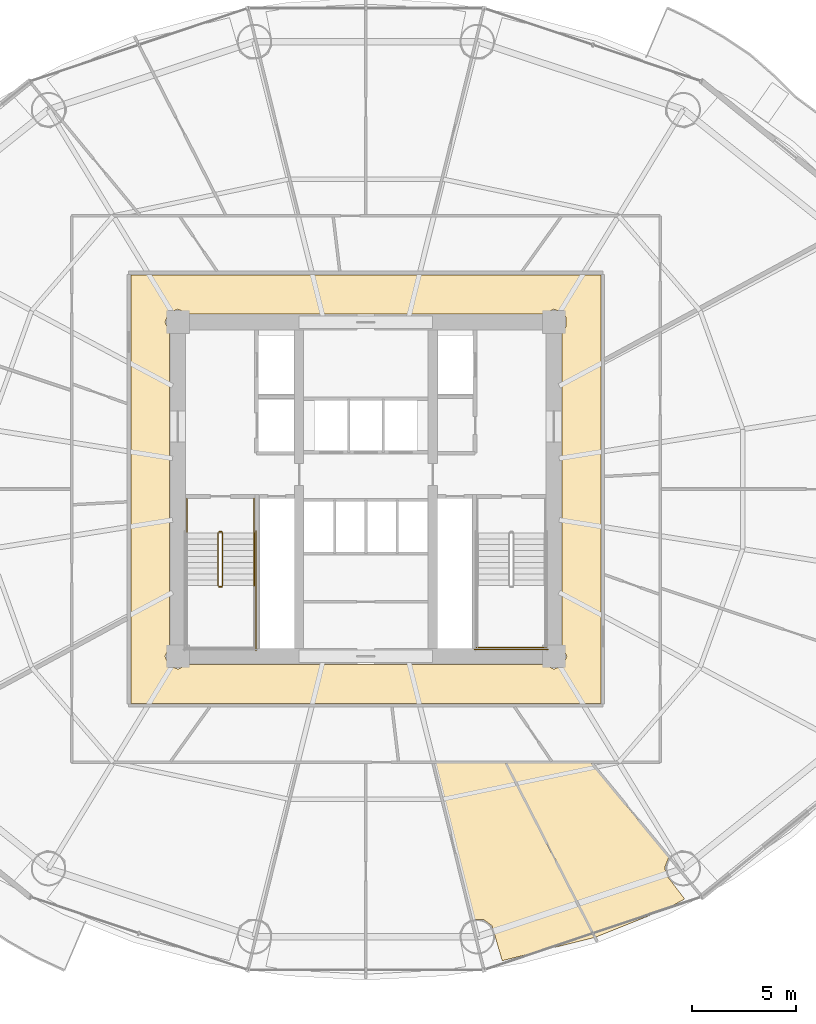
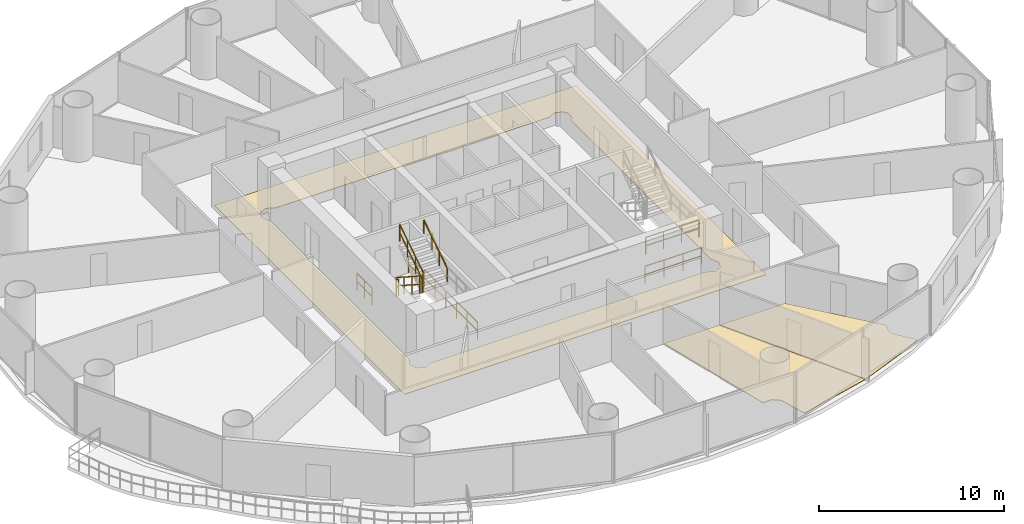
# One storey, part 28 of 30: 10 railings, 3 coverings.
"""IFC4 building model written with IfcOpenShell, lengths in metres."""

from ifc_helpers import new_model, si_unit, direction, frame, origin, origin_2d, place, context, subcontext, project, spatial, polyline, rectangle, outline, extrude, material, layer, layer_set, type_object, element, save


model = new_model("IFC4")

# Units and contexts
model_context = context("Model", 3, precision=1e-05, world=origin(), true_north=direction((-0.2419218956, 0.970295726276)))
body_context = subcontext(model_context, "Body", "Model", "MODEL_VIEW")
ifc_project = project(units=[si_unit("LENGTHUNIT", "METRE"), si_unit("AREAUNIT", "SQUARE_METRE"), si_unit("VOLUMEUNIT", "CUBIC_METRE"), si_unit("PLANEANGLEUNIT", "RADIAN"), si_unit("MASSUNIT", "GRAM", prefix="KILO")], contexts=[model_context])

# Site, building, storey
site_placement = place(None, origin())
site = spatial("IfcSite", under=ifc_project, at=site_placement, CompositionType="ELEMENT")
building_placement = place(site_placement, origin())
building = spatial("IfcBuilding", under=site, at=building_placement, Name="Cobrevalo Terracotta Tower", CompositionType="ELEMENT")
storey_placement = place(building_placement, frame((0.0, 0.0, 63.60009765625)))
storey = spatial("IfcBuildingStorey", under=building, at=storey_placement, Name="L16", CompositionType="ELEMENT", Elevation=63.60009765625)

# Coverings
ifc_material_1 = material(Name="Engineered Brazilian hardwood flooring", Category="wood")
ifc_layer_1 = layer(ifc_material_1, 0.028076171875)
ifc_layer_set_1 = layer_set([ifc_layer_1], Name="Engineered Brazilian hardwood flooring")
covering_type_1 = type_object("IfcCoveringType", Name="Engineered Hardwood Suite Flooring 28", PredefinedType="FLOORING", material=ifc_layer_set_1)
covering_1_placement = place(storey_placement, origin())
element("IfcCovering", 1, at=covering_1_placement, inside=storey, type_object=covering_type_1, Name="Flat L16B Principal Guest Bedroom floor finish", PredefinedType="FLOORING", context=body_context, shape_type="SweptSolid", body=[
    extrude(outline(polyline([(44.527587890625, 4.2255859375), (44.04345703125, 5.89306640625), (43.63330078125, 6.197998046875), (43.075439453125, 6.20703125), (41.237548828125, 13.695068359375), (44.67626953125, 13.695068359375), (48.948974609375, 5.336181640625), (44.527587890625, 4.2255859375)])), origin(), (0.0, 0.0, 1.0), 0.02978515625),
])
covering_2_placement = place(storey_placement, origin())
element("IfcCovering", 2, at=covering_2_placement, inside=storey, type_object=covering_type_1, Name="Flat L16B Principal Guest Bedroom floor finish", PredefinedType="FLOORING", context=body_context, shape_type="SweptSolid", body=[
    extrude(outline(polyline([(48.9873046875, 5.3486328125), (44.72119140625, 13.695068359375), (48.780029296875, 13.695068359375), (52.5048828125, 9.177490234375), (52.318115234375, 8.71044921875), (52.35498046875, 8.369140625), (53.26318359375, 7.178955078125), (52.361572265625, 6.691650390625), (48.9873046875, 5.3486328125)])), origin(), (0.0, 0.0, 1.0), 0.02978515625),
])
ifc_material_2 = material(Name="Honed terracotta and granite tile", Category="masonry")
ifc_layer_2 = layer(ifc_material_2, 0.034912109375)
ifc_layer_set_2 = layer_set([ifc_layer_2], Name="Honed terracotta and granite tile")
covering_type_2 = type_object("IfcCoveringType", Name="Honed Terracotta & Granite Interior Flooring 35", PredefinedType="FLOORING", material=ifc_layer_set_2)
covering_3_placement = place(storey_placement, origin())
element("IfcCovering", 3, at=covering_3_placement, inside=storey, type_object=covering_type_2, Name="L16 Residential Floor Corridor floor finish", PredefinedType="FLOORING", context=body_context, shape_type="SweptSolid", body=[
    extrude(outline(polyline([(49.2548828125, 37.054931640625), (49.2548828125, 16.544921875), (26.7451171875, 16.544921875), (26.7451171875, 37.054931640625), (49.2548828125, 37.054931640625)]), holes=[polyline([(47.39501953125, 34.33203125), (47.5732421875, 34.5625), (47.5732421875, 35.037353515625), (47.438720703125, 35.23876953125), (47.0, 35.42041015625), (46.5322265625, 35.195068359375), (29.4677734375, 35.195068359375), (29.0, 35.42041015625), (28.561279296875, 35.23876953125), (28.379638671875, 34.800048828125), (28.60498046875, 34.33203125), (28.60498046875, 19.267822265625), (28.379638671875, 18.800048828125), (28.561279296875, 18.361328125), (29.0, 18.1796875), (29.4677734375, 18.405029296875), (46.5322265625, 18.405029296875), (47.0, 18.1796875), (47.438720703125, 18.361328125), (47.620361328125, 18.800048828125), (47.39501953125, 19.267822265625), (47.39501953125, 34.33203125)])]), origin(), (0.0, 0.0, 1.0), 0.02978515625),
])

# Railings
ifc_material_3 = material(Name="Brushed stainless steel", Category="steel")
railing_type_1 = type_object("IfcRailingType", Name="Stainless Steel Stair Handrail 900", PredefinedType="HANDRAIL", material=ifc_material_3)
railing_1_placement = place(storey_placement, frame((32.64501953125, 22.179931640625, 1.97998046875)))
element("IfcRailing", 4, at=railing_1_placement, inside=storey, type_object=railing_type_1, Name="L16 ST-1 stair handrail 2", PredefinedType="HANDRAIL", context=body_context, shape_type="SweptSolid", body=[
    extrude(rectangle(XDim=0.048095703125, YDim=0.048095703125, at=origin_2d()), frame((0.0, 0.0, 0.8759765625), z_axis=(0.0, 0.841199657755, 0.540724639528), x_axis=(-1.0, 0.0, 0.0)), (0.0, 0.0, 1.0), 2.995849609375),
    extrude(rectangle(XDim=0.0419921875, YDim=0.0419921875, at=origin_2d()), origin(), (0.0, 0.0, 1.0), 0.851806640625),
    extrude(rectangle(XDim=0.0419921875, YDim=0.0419921875, at=origin_2d()), frame((0.0, 0.840087890625, 0.5400390625)), (0.0, 0.0, 1.0), 0.851806640625),
    extrude(rectangle(XDim=0.0419921875, YDim=0.0419921875, at=origin_2d()), frame((0.0, 1.679931640625, 1.079833984375)), (0.0, 0.0, 1.0), 0.851806640625),
    extrude(rectangle(XDim=0.0419921875, YDim=0.0419921875, at=origin_2d()), frame((0.0, 2.52001953125, 1.619873046875)), (0.0, 0.0, 1.0), 0.851806640625),
])
ifc_material_4 = material(Name="Painted galvanized steel", Category="steel")
railing_type_2 = type_object("IfcRailingType", Name="Stair Well Guard Balustrade 1150", PredefinedType="GUARDRAIL", material=ifc_material_4)
railing_2_placement = place(storey_placement, frame((30.925048828125, 24.699951171875, 0.179931640625)))
element("IfcRailing", 5, at=railing_2_placement, inside=storey, type_object=railing_type_2, Name="L16 ST-1 stair guard 1", PredefinedType="GUARDRAIL", context=body_context, shape_type="SweptSolid", body=[
    extrude(rectangle(XDim=0.048095703125, YDim=0.048095703125, at=origin_2d()), frame((0.0, 0.0, 1.1259765625), z_axis=(0.0, -0.841199657755, 0.540724639528), x_axis=(1.0, 0.0, 0.0)), (0.0, 0.0, 1.0), 2.995849609375),
    extrude(rectangle(XDim=0.048095703125, YDim=0.048095703125, at=origin_2d()), frame((0.0, 0.0, 0.574951171875), z_axis=(0.0, -0.841199657755, 0.540724639528), x_axis=(1.0, 0.0, 0.0)), (0.0, 0.0, 1.0), 2.995849609375),
    extrude(rectangle(XDim=0.0419921875, YDim=0.0419921875, at=origin_2d()), origin(), (0.0, 0.0, 1.0), 1.101806640625),
    extrude(rectangle(XDim=0.0419921875, YDim=0.0419921875, at=origin_2d()), frame((0.0, -0.840087890625, 0.5400390625)), (0.0, 0.0, 1.0), 1.101806640625),
    extrude(rectangle(XDim=0.0419921875, YDim=0.0419921875, at=origin_2d()), frame((0.0, -1.679931640625, 1.079833984375)), (0.0, 0.0, 1.0), 1.101806640625),
    extrude(rectangle(XDim=0.0419921875, YDim=0.0419921875, at=origin_2d()), frame((0.0, -2.52001953125, 1.619873046875)), (0.0, 0.0, 1.0), 1.101806640625),
])
railing_3_placement = place(storey_placement, frame((30.97509765625, 22.1298828125, 1.7998046875)))
element("IfcRailing", 6, at=railing_3_placement, inside=storey, type_object=railing_type_2, Name="L16 ST-1 stair guard 2", PredefinedType="GUARDRAIL", context=body_context, shape_type="SweptSolid", body=[
    extrude(rectangle(XDim=0.048095703125, YDim=0.048095703125, at=origin_2d()), frame((0.0, 0.0, 1.1259765625), z_axis=(1.0, 0.0, 0.0), x_axis=(0.0, 1.0, 0.0)), (0.0, 0.0, 1.0), 0.119873046875),
    extrude(rectangle(XDim=0.048095703125, YDim=0.048095703125, at=origin_2d()), frame((0.0, 0.0, 0.574951171875), z_axis=(1.0, 0.0, 0.0), x_axis=(0.0, 1.0, 0.0)), (0.0, 0.0, 1.0), 0.119873046875),
    extrude(rectangle(XDim=0.0419921875, YDim=0.0419921875, at=origin_2d()), origin(), (0.0, 0.0, 1.0), 1.101806640625),
    extrude(rectangle(XDim=0.0419921875, YDim=0.0419921875, at=origin_2d()), frame((0.119873046875, 0.0, 0.0)), (0.0, 0.0, 1.0), 1.101806640625),
])
railing_4_placement = place(storey_placement, frame((31.14501953125, 22.179931640625, 1.97998046875)))
element("IfcRailing", 7, at=railing_4_placement, inside=storey, type_object=railing_type_2, Name="L16 ST-1 stair guard 6", PredefinedType="GUARDRAIL", context=body_context, shape_type="SweptSolid", body=[
    extrude(rectangle(XDim=0.048095703125, YDim=0.048095703125, at=origin_2d()), frame((0.0, 0.0, 1.1259765625), z_axis=(0.0, 0.841199657755, 0.540724639528), x_axis=(-1.0, 0.0, 0.0)), (0.0, 0.0, 1.0), 2.995849609375),
    extrude(rectangle(XDim=0.048095703125, YDim=0.048095703125, at=origin_2d()), frame((0.0, 0.0, 0.574951171875), z_axis=(0.0, 0.841199657755, 0.540724639528), x_axis=(-1.0, 0.0, 0.0)), (0.0, 0.0, 1.0), 2.995849609375),
    extrude(rectangle(XDim=0.0419921875, YDim=0.0419921875, at=origin_2d()), origin(), (0.0, 0.0, 1.0), 1.101806640625),
    extrude(rectangle(XDim=0.0419921875, YDim=0.0419921875, at=origin_2d()), frame((0.0, 0.840087890625, 0.5400390625)), (0.0, 0.0, 1.0), 1.101806640625),
    extrude(rectangle(XDim=0.0419921875, YDim=0.0419921875, at=origin_2d()), frame((0.0, 1.679931640625, 1.079833984375)), (0.0, 0.0, 1.0), 1.101806640625),
    extrude(rectangle(XDim=0.0419921875, YDim=0.0419921875, at=origin_2d()), frame((0.0, 2.52001953125, 1.619873046875)), (0.0, 0.0, 1.0), 1.101806640625),
])
railing_5_placement = place(storey_placement, frame((30.97509765625, 24.75, 0.0)))
element("IfcRailing", 8, at=railing_5_placement, inside=storey, type_object=railing_type_2, Name="L16 ST-1 stair guard 7", PredefinedType="GUARDRAIL", context=body_context, shape_type="SweptSolid", body=[
    extrude(rectangle(XDim=0.048095703125, YDim=0.048095703125, at=origin_2d()), frame((0.0, 0.0, 1.1259765625), z_axis=(1.0, 0.0, 0.0), x_axis=(0.0, 1.0, 0.0)), (0.0, 0.0, 1.0), 0.119873046875),
    extrude(rectangle(XDim=0.048095703125, YDim=0.048095703125, at=origin_2d()), frame((0.0, 0.0, 0.574951171875), z_axis=(1.0, 0.0, 0.0), x_axis=(0.0, 1.0, 0.0)), (0.0, 0.0, 1.0), 0.119873046875),
    extrude(rectangle(XDim=0.0419921875, YDim=0.0419921875, at=origin_2d()), origin(), (0.0, 0.0, 1.0), 1.101806640625),
    extrude(rectangle(XDim=0.0419921875, YDim=0.0419921875, at=origin_2d()), frame((0.119873046875, 0.0, 0.0)), (0.0, 0.0, 1.0), 1.101806640625),
])
for number, where, name in (
    (9, (29.425048828125, 26.35009765625, 0.0), "L16 ST-1 stair guard 8"),
    (10, (32.64501953125, 26.35009765625, 0.0), "L16 ST-1 stair guard 9"),
):
    element("IfcRailing", number, at=place(storey_placement, frame(where)), inside=storey, type_object=railing_type_2, Name=name, PredefinedType="GUARDRAIL", context=body_context, shape_type="SweptSolid", body=[
        extrude(rectangle(XDim=0.048095703125, YDim=0.048095703125, at=origin_2d()), frame((0.0, 0.0, 1.1259765625), z_axis=(0.0, -1.0, 0.0), x_axis=(1.0, 0.0, 0.0)), (0.0, 0.0, 1.0), 1.650146484375),
        extrude(rectangle(XDim=0.048095703125, YDim=0.048095703125, at=origin_2d()), frame((0.0, 0.0, 0.574951171875), z_axis=(0.0, -1.0, 0.0), x_axis=(1.0, 0.0, 0.0)), (0.0, 0.0, 1.0), 1.650146484375),
        extrude(rectangle(XDim=0.0419921875, YDim=0.0419921875, at=origin_2d()), origin(), (0.0, 0.0, 1.0), 1.101806640625),
        extrude(rectangle(XDim=0.0419921875, YDim=0.0419921875, at=origin_2d()), frame((0.0, -0.8251953125, 0.0)), (0.0, 0.0, 1.0), 1.101806640625),
        extrude(rectangle(XDim=0.0419921875, YDim=0.0419921875, at=origin_2d()), frame((0.0, -1.650146484375, 0.0)), (0.0, 0.0, 1.0), 1.101806640625),
    ])
railing_6_placement = place(storey_placement, frame((32.7451171875, 24.800048828125, 0.0)))
element("IfcRailing", 11, at=railing_6_placement, inside=storey, type_object=railing_type_2, Name="L16 ST-1 stair guard 11", PredefinedType="GUARDRAIL", context=body_context, shape_type="SweptSolid", body=[
    extrude(rectangle(XDim=0.048095703125, YDim=0.048095703125, at=origin_2d()), frame((0.0, 0.0, 1.1259765625), z_axis=(0.0, -1.0, 0.0), x_axis=(1.0, 0.0, 0.0)), (0.0, 0.0, 1.0), 5.72509765625),
    extrude(rectangle(XDim=0.048095703125, YDim=0.048095703125, at=origin_2d()), frame((0.0, 0.0, 0.574951171875), z_axis=(0.0, -1.0, 0.0), x_axis=(1.0, 0.0, 0.0)), (0.0, 0.0, 1.0), 5.72509765625),
    extrude(rectangle(XDim=0.0419921875, YDim=0.0419921875, at=origin_2d()), origin(), (0.0, 0.0, 1.0), 1.101806640625),
    extrude(rectangle(XDim=0.0419921875, YDim=0.0419921875, at=origin_2d()), frame((0.0, -1.14501953125, 0.0)), (0.0, 0.0, 1.0), 1.101806640625),
    extrude(rectangle(XDim=0.0419921875, YDim=0.0419921875, at=origin_2d()), frame((0.0, -2.2900390625, 0.0)), (0.0, 0.0, 1.0), 1.101806640625),
    extrude(rectangle(XDim=0.0419921875, YDim=0.0419921875, at=origin_2d()), frame((0.0, -3.43505859375, 0.0)), (0.0, 0.0, 1.0), 1.101806640625),
    extrude(rectangle(XDim=0.0419921875, YDim=0.0419921875, at=origin_2d()), frame((0.0, -4.580078125, 0.0)), (0.0, 0.0, 1.0), 1.101806640625),
    extrude(rectangle(XDim=0.0419921875, YDim=0.0419921875, at=origin_2d()), frame((0.0, -5.72509765625, 0.0)), (0.0, 0.0, 1.0), 1.101806640625),
])
railing_7_placement = place(storey_placement, frame((43.304931640625, 19.22509765625, 1.7998046875)))
element("IfcRailing", 12, at=railing_7_placement, inside=storey, type_object=railing_type_2, Name="L16 ST-2 stair guard 5", PredefinedType="GUARDRAIL", context=body_context, shape_type="SweptSolid", body=[
    extrude(rectangle(XDim=0.048095703125, YDim=0.048095703125, at=origin_2d()), frame((0.0, 0.0, 1.1259765625), z_axis=(1.0, 0.0, 0.0), x_axis=(0.0, 1.0, 0.0)), (0.0, 0.0, 1.0), 3.320068359375),
    extrude(rectangle(XDim=0.048095703125, YDim=0.048095703125, at=origin_2d()), frame((0.0, 0.0, 0.574951171875), z_axis=(1.0, 0.0, 0.0), x_axis=(0.0, 1.0, 0.0)), (0.0, 0.0, 1.0), 3.320068359375),
    extrude(rectangle(XDim=0.0419921875, YDim=0.0419921875, at=origin_2d()), origin(), (0.0, 0.0, 1.0), 1.101806640625),
    extrude(rectangle(XDim=0.0419921875, YDim=0.0419921875, at=origin_2d()), frame((1.106689453125, 0.0, 0.0)), (0.0, 0.0, 1.0), 1.101806640625),
    extrude(rectangle(XDim=0.0419921875, YDim=0.0419921875, at=origin_2d()), frame((2.21337890625, 0.0, 0.0)), (0.0, 0.0, 1.0), 1.101806640625),
    extrude(rectangle(XDim=0.0419921875, YDim=0.0419921875, at=origin_2d()), frame((3.320068359375, 0.0, 0.0)), (0.0, 0.0, 1.0), 1.101806640625),
])
railing_8_placement = place(storey_placement, frame((43.205078125, 19.125, 0.0)))
element("IfcRailing", 13, at=railing_8_placement, inside=storey, type_object=railing_type_2, Name="L16 ST-2 stair guard 12", PredefinedType="GUARDRAIL", context=body_context, shape_type="SweptSolid", body=[
    extrude(rectangle(XDim=0.048095703125, YDim=0.048095703125, at=origin_2d()), frame((0.0, 0.0, 1.1259765625), z_axis=(1.0, 0.0, 0.0), x_axis=(0.0, 1.0, 0.0)), (0.0, 0.0, 1.0), 3.52001953125),
    extrude(rectangle(XDim=0.048095703125, YDim=0.048095703125, at=origin_2d()), frame((0.0, 0.0, 0.574951171875), z_axis=(1.0, 0.0, 0.0), x_axis=(0.0, 1.0, 0.0)), (0.0, 0.0, 1.0), 3.52001953125),
    extrude(rectangle(XDim=0.0419921875, YDim=0.0419921875, at=origin_2d()), origin(), (0.0, 0.0, 1.0), 1.101806640625),
    extrude(rectangle(XDim=0.0419921875, YDim=0.0419921875, at=origin_2d()), frame((1.17333984375, 0.0, 0.0)), (0.0, 0.0, 1.0), 1.101806640625),
    extrude(rectangle(XDim=0.0419921875, YDim=0.0419921875, at=origin_2d()), frame((2.3466796875, 0.0, 0.0)), (0.0, 0.0, 1.0), 1.101806640625),
    extrude(rectangle(XDim=0.0419921875, YDim=0.0419921875, at=origin_2d()), frame((3.52001953125, 0.0, 0.0)), (0.0, 0.0, 1.0), 1.101806640625),
])

save(model, "model.ifc")
